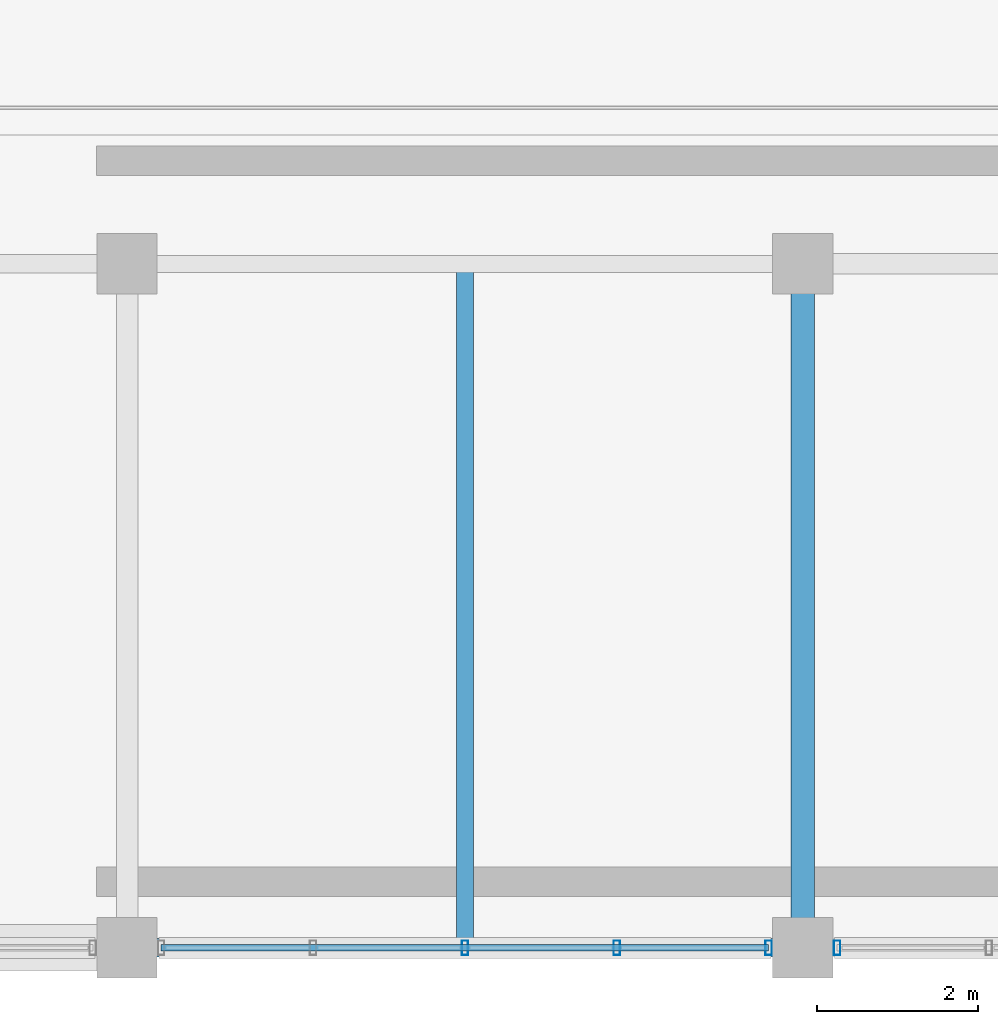
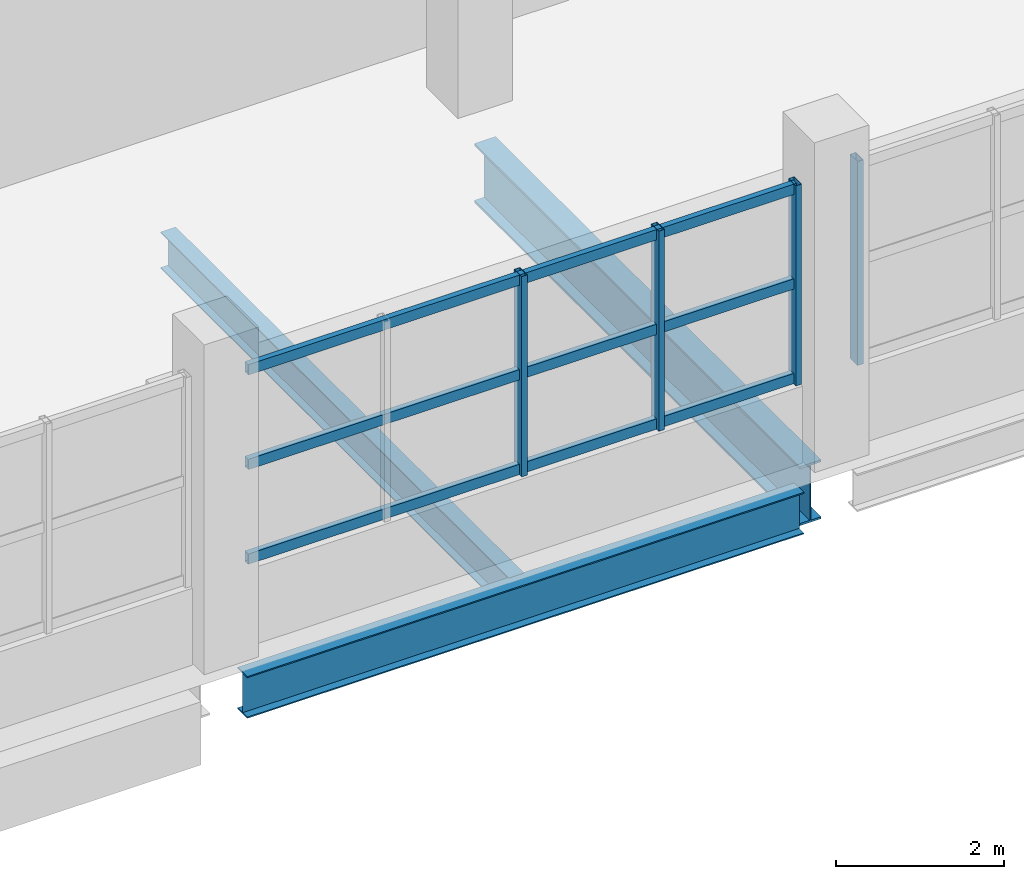
# One storey, part 30 of 77: 7 members, 3 beams, 2 elements without a shape of their own.
"""IFC4 building model written with IfcOpenShell, lengths in metres."""

from ifc_helpers import new_model, si_unit, direction, frame, origin, origin_2d, place, context, subcontext, project, spatial, hollow_rectangle, i_section, extrude, material, material_profile, profile_set, type_object, element, aggregate, save


model = new_model("IFC4")

# Units and contexts
model_context = context("Model", 3, precision=1e-05, world=origin(), true_north=direction((0.0, 1.0)))
body_context = subcontext(model_context, "Body", "Model", "MODEL_VIEW")
ifc_project = project(units=[si_unit("LENGTHUNIT", "METRE"), si_unit("AREAUNIT", "SQUARE_METRE"), si_unit("VOLUMEUNIT", "CUBIC_METRE"), si_unit("PLANEANGLEUNIT", "RADIAN"), si_unit("MASSUNIT", "GRAM", prefix="KILO")], contexts=[model_context])

# Site, building, storey
site_placement = place(None, origin())
site = spatial("IfcSite", under=ifc_project, at=site_placement, CompositionType="ELEMENT")
building_placement = place(site_placement, origin())
building = spatial("IfcBuilding", under=site, at=building_placement, Name="Solvento Point Concert Hall", CompositionType="ELEMENT")
storey_placement = place(building_placement, frame((0.0, 0.0, 10.199951171875)))
storey = spatial("IfcBuildingStorey", under=building, at=storey_placement, Name="L02", CompositionType="ELEMENT", Elevation=10.199951171875)

# Beams
ifc_material_1 = material(Name="Structural Steel ASTM A992 Grade 50", Category="steel")
ifc_material_profile_1 = material_profile(ifc_material_1, i_section(OverallWidth=0.20947265625, OverallDepth=0.532958984375, WebThickness=0.01025390625, FlangeThickness=0.015625, at=origin_2d()), Name="W21X62")
ifc_profile_set_1 = profile_set([ifc_material_profile_1], Name="Structural Steel ASTM A992 Grade 50")
beam_type_1 = type_object("IfcBeamType", Name="Beam_W21X62", PredefinedType="BEAM", material=ifc_profile_set_1)
beam_1_placement = place(storey_placement, frame((171.0, 0.099365234375, -0.71044921875), z_axis=(0.0, 1.0, 0.0), x_axis=(-1.0, 0.0, 0.0)))
element("IfcBeam", 1, at=beam_1_placement, inside=storey, type_object=beam_type_1, Name="Secondary floor joist B-25 L02", PredefinedType="BEAM", context=body_context, shape_type="SweptSolid", body=[
    extrude(i_section(OverallWidth=0.20947265625, OverallDepth=0.532958984375, WebThickness=0.01025390625, FlangeThickness=0.015625, at=origin_2d()), origin(), (0.0, 0.0, 1.0), 8.30859375),
])
ifc_material_2 = material(Name="Structural Steel ASTM A992 Grade 50", Category="steel")
ifc_material_profile_2 = material_profile(ifc_material_2, i_section(OverallWidth=0.228515625, OverallDepth=0.60791015625, WebThickness=0.01123046875, FlangeThickness=0.017333984375, at=origin_2d()), Name="W24X76")
ifc_profile_set_2 = profile_set([ifc_material_profile_2], Name="Structural Steel ASTM A992 Grade 50")
beam_type_2 = type_object("IfcBeamType", Name="Beam_W24X76", PredefinedType="BEAM", material=ifc_profile_set_2)
beam_2_placement = place(storey_placement, frame((167.1689453125, 0.0, -0.748046875), z_axis=(1.0, 0.0, 0.0), x_axis=(0.0, 1.0, 0.0)))
element("IfcBeam", 2, at=beam_2_placement, inside=storey, type_object=beam_type_2, Name="Primary girder B-42 L02", PredefinedType="BEAM", context=body_context, shape_type="SweptSolid", body=[
    extrude(i_section(OverallWidth=0.228515625, OverallDepth=0.60791015625, WebThickness=0.01123046875, FlangeThickness=0.017333984375, at=origin_2d()), origin(), (0.0, 0.0, 1.0), 7.662109375),
])
ifc_material_3 = material(Name="Structural Steel ASTM A992 Grade 50", Category="steel")
ifc_material_profile_3 = material_profile(ifc_material_3, i_section(OverallWidth=0.2919921875, OverallDepth=0.85888671875, WebThickness=0.01708984375, FlangeThickness=0.031005859375, at=origin_2d()), Name="W33X169")
ifc_profile_set_3 = profile_set([ifc_material_profile_3], Name="Structural Steel ASTM A992 Grade 50")
beam_type_3 = type_object("IfcBeamType", Name="Girder_W33X169", PredefinedType="USERDEFINED", material=ifc_profile_set_3)
beam_3_placement = place(storey_placement, frame((175.199951171875, 0.368896484375, -0.87353515625), z_axis=(0.0, 1.0, 0.0), x_axis=(-1.0, 0.0, 0.0)))
element("IfcBeam", 3, at=beam_3_placement, inside=storey, type_object=beam_type_3, Name="Primary girder B-33 L02", ObjectType="GIRDER", PredefinedType="USERDEFINED", context=body_context, shape_type="SweptSolid", body=[
    extrude(i_section(OverallWidth=0.2919921875, OverallDepth=0.85888671875, WebThickness=0.01708984375, FlangeThickness=0.031005859375, at=origin_2d()), origin(), (0.0, 0.0, 1.0), 7.76220703125),
])

# Curtain wall, members
ifc_material_4 = material(Name="Anodized Bronze Aluminium", Category="aluminium")
curtain_wall_type = type_object("IfcCurtainWallType", Name="CurtainWall_ChamberCircle", PredefinedType="USERDEFINED", material=ifc_material_4)
curtain_wall_1_placement = place(storey_placement, origin())
curtain_wall_1 = element("IfcCurtainWall", 4, at=curtain_wall_1_placement, inside=storey, type_object=curtain_wall_type, Name="Unitised curtain wall CW-32 UCW-L02-157", ObjectType="UNITISED CURTAIN WALL", PredefinedType="USERDEFINED")
ifc_material_5 = material(Name="Anodized Bronze Aluminium", Category="aluminium")
ifc_material_profile_4 = material_profile(ifc_material_5, hollow_rectangle(XDim=0.080078125, YDim=0.179931640625, WallThickness=0.00390625, at=origin_2d()), Name="CW-MUL-80X180")
ifc_profile_set_4 = profile_set([ifc_material_profile_4], Name="Anodized Bronze Aluminium")
member_type_1 = type_object("IfcMemberType", Name="Mullion_80x180", PredefinedType="MULLION", material=ifc_profile_set_4)
member_1_placement = place(storey_placement, frame((171.0, 0.0, 1.1201171875), z_axis=(0.0, 0.0, 1.0), x_axis=(1.0, 0.0, 0.0)))
member_1 = element("IfcMember", 5, at=member_1_placement, type_object=member_type_1, Name="Curtain wall mullion ML-01", PredefinedType="MULLION", context=body_context, shape_type="SweptSolid", body=[
    extrude(hollow_rectangle(XDim=0.080078125, YDim=0.179931640625, WallThickness=0.00390625, at=origin_2d()), origin(), (0.0, 0.0, 1.0), 2.913818359375),
])
member_2_placement = place(storey_placement, frame((172.887451171875, 0.0, 1.1201171875), z_axis=(0.0, 0.0, 1.0), x_axis=(1.0, 0.0, 0.0)))
member_2 = element("IfcMember", 6, at=member_2_placement, type_object=member_type_1, Name="Curtain wall mullion ML-01", PredefinedType="MULLION", context=body_context, shape_type="SweptSolid", body=[
    extrude(hollow_rectangle(XDim=0.080078125, YDim=0.179931640625, WallThickness=0.00390625, at=origin_2d()), origin(), (0.0, 0.0, 1.0), 2.913818359375),
])
member_3_placement = place(storey_placement, frame((174.77490234375, 0.0, 1.1201171875), z_axis=(0.0, 0.0, 1.0), x_axis=(1.0, 0.0, 0.0)))
member_3 = element("IfcMember", 7, at=member_3_placement, type_object=member_type_1, Name="Curtain wall mullion ML-01", PredefinedType="MULLION", context=body_context, shape_type="SweptSolid", body=[
    extrude(hollow_rectangle(XDim=0.080078125, YDim=0.179931640625, WallThickness=0.00390625, at=origin_2d()), origin(), (0.0, 0.0, 1.0), 2.913818359375),
])

# Curtain wall, member
curtain_wall_2_placement = place(storey_placement, origin())
curtain_wall_2 = element("IfcCurtainWall", 8, at=curtain_wall_2_placement, inside=storey, type_object=curtain_wall_type, Name="Unitised curtain wall CW-32 UCW-L02-158", ObjectType="UNITISED CURTAIN WALL", PredefinedType="USERDEFINED")
member_4_placement = place(storey_placement, frame((175.625, 0.0, 1.1201171875), z_axis=(0.0, 0.0, 1.0), x_axis=(1.0, 0.0, 0.0)))
member_4 = element("IfcMember", 9, at=member_4_placement, type_object=member_type_1, Name="Curtain wall mullion ML-01", PredefinedType="MULLION", context=body_context, shape_type="SweptSolid", body=[
    extrude(hollow_rectangle(XDim=0.080078125, YDim=0.179931640625, WallThickness=0.00390625, at=origin_2d()), origin(), (0.0, 0.0, 1.0), 2.970947265625),
])
aggregate(curtain_wall_2, [member_4])

# Member
ifc_material_6 = material(Name="Anodized Bronze Aluminium", Category="aluminium")
ifc_material_profile_5 = material_profile(ifc_material_6, hollow_rectangle(XDim=0.080078125, YDim=0.14990234375, WallThickness=0.00390625, at=origin_2d()), Name="CW-TRN-80X150")
ifc_profile_set_5 = profile_set([ifc_material_profile_5], Name="Anodized Bronze Aluminium")
member_type_2 = type_object("IfcMemberType", Name="Transom_80x150", PredefinedType="USERDEFINED", material=ifc_profile_set_5)
member_5_placement = place(storey_placement, frame((167.22509765625, 0.0, 1.199951171875), z_axis=(1.0, 0.0, 0.0), x_axis=(0.0, 1.0, 0.0)))
member_5 = element("IfcMember", 10, at=member_5_placement, type_object=member_type_2, Name="Curtain wall transom TR-01", ObjectType="TRANSOM", PredefinedType="USERDEFINED", context=body_context, shape_type="SweptSolid", body=[
    extrude(hollow_rectangle(XDim=0.080078125, YDim=0.14990234375, WallThickness=0.00390625, at=origin_2d()), origin(), (0.0, 0.0, 1.0), 7.5498046875),
])

member_6_placement = place(storey_placement, frame((167.22509765625, 0.0, 2.5771484375), z_axis=(1.0, 0.0, 0.0), x_axis=(0.0, 1.0, 0.0)))
member_6 = element("IfcMember", 11, at=member_6_placement, type_object=member_type_2, Name="Curtain wall transom TR-01", ObjectType="TRANSOM", PredefinedType="USERDEFINED", context=body_context, shape_type="SweptSolid", body=[
    extrude(hollow_rectangle(XDim=0.080078125, YDim=0.14990234375, WallThickness=0.00390625, at=origin_2d()), origin(), (0.0, 0.0, 1.0), 7.5498046875),
])

member_7_placement = place(storey_placement, frame((167.22509765625, 0.0, 3.9541015625), z_axis=(1.0, 0.0, 0.0), x_axis=(0.0, 1.0, 0.0)))
member_7 = element("IfcMember", 12, at=member_7_placement, type_object=member_type_2, Name="Curtain wall transom TR-01", ObjectType="TRANSOM", PredefinedType="USERDEFINED", context=body_context, shape_type="SweptSolid", body=[
    extrude(hollow_rectangle(XDim=0.080078125, YDim=0.14990234375, WallThickness=0.00390625, at=origin_2d()), origin(), (0.0, 0.0, 1.0), 7.5498046875),
])

aggregate(curtain_wall_1, [member_1, member_2, member_3, member_5, member_6, member_7])

save(model, "model.ifc")
